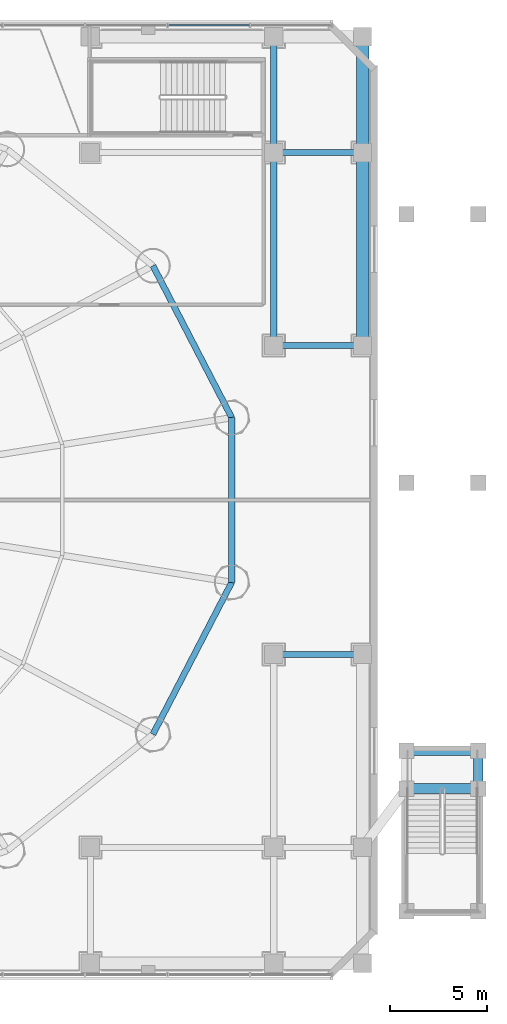
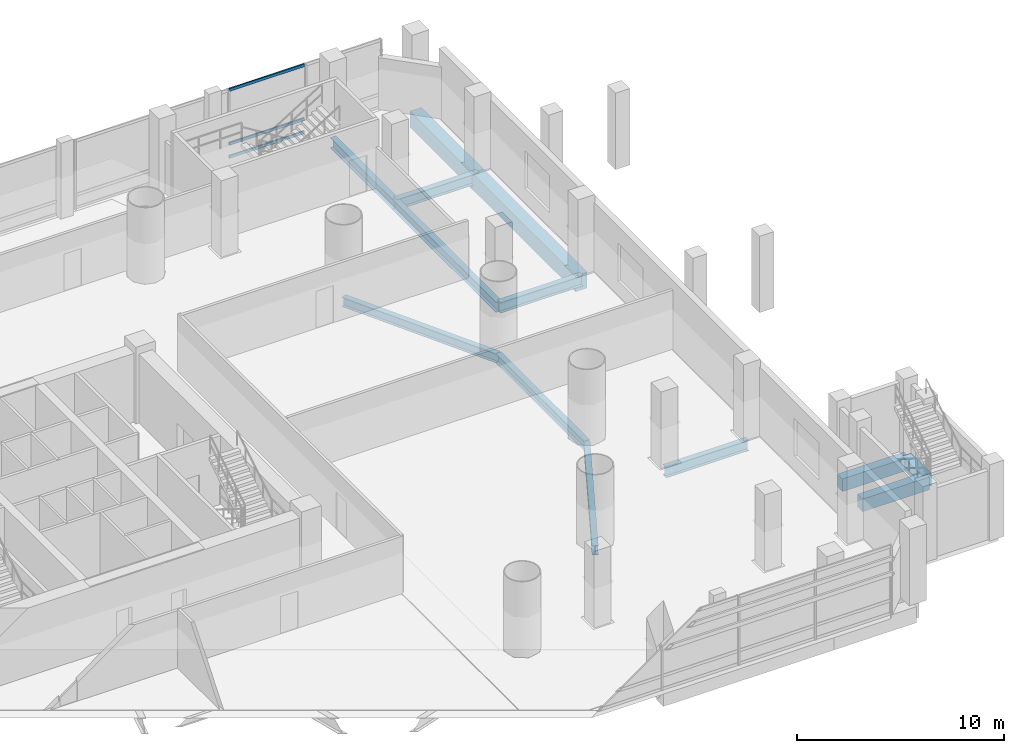
# One storey, part 17 of 36: 13 beams, 3 members, 1 element without a shape of its own.
"""IFC4 building model written with IfcOpenShell, lengths in metres."""

from ifc_helpers import new_model, si_unit, direction, frame, origin, origin_2d, place, context, subcontext, project, spatial, rectangle, hollow_rectangle, i_section, extrude, source, transform, mapped, material, material_profile, profile_set, type_object, element, aggregate, save


model = new_model("IFC4")

# Units and contexts
model_context = context("Model", 3, precision=1e-05, world=origin(), true_north=direction((-0.2419218956, 0.970295726276)))
body_context = subcontext(model_context, "Body", "Model", "MODEL_VIEW")
ifc_project = project(units=[si_unit("LENGTHUNIT", "METRE"), si_unit("AREAUNIT", "SQUARE_METRE"), si_unit("VOLUMEUNIT", "CUBIC_METRE"), si_unit("PLANEANGLEUNIT", "RADIAN"), si_unit("MASSUNIT", "GRAM", prefix="KILO")], contexts=[model_context])

# Site, building, storey
site_placement = place(None, origin())
site = spatial("IfcSite", under=ifc_project, at=site_placement, CompositionType="ELEMENT")
building_placement = place(site_placement, origin())
building = spatial("IfcBuilding", under=site, at=building_placement, Name="Cobrevalo Terracotta Tower", CompositionType="ELEMENT")
storey_placement = place(building_placement, frame((0.0, 0.0, 14.39990234375)))
storey = spatial("IfcBuildingStorey", under=building, at=storey_placement, Name="L03", CompositionType="ELEMENT", Elevation=14.39990234375)

# Beams
ifc_material_1 = material(Name="Steel S355", Category="steel")
ifc_material_profile_1 = material_profile(ifc_material_1, i_section(OverallWidth=0.324951171875, OverallDepth=0.615966796875, WebThickness=0.013916015625, FlangeThickness=0.021484375, at=origin_2d()), Name="W 610x174")
ifc_profile_set_1 = profile_set([ifc_material_profile_1], Name="Steel S355")
beam_type_1 = type_object("IfcBeamType", Name="Structural Beam W 610x174 (Steel S355)", PredefinedType="BEAM", material=ifc_profile_set_1)
beam_1_placement = place(storey_placement, frame((67.0, 18.800048828125, -0.60791015625), z_axis=(1.0, 0.0, 0.0), x_axis=(0.0, 1.0, 0.0)))
element("IfcBeam", 1, at=beam_1_placement, inside=storey, type_object=beam_type_1, Name="L03 podium grid beam G8-GC to G9-GC", PredefinedType="BEAM", context=body_context, shape_type="SweptSolid", body=[
    extrude(i_section(OverallWidth=0.324951171875, OverallDepth=0.615966796875, WebThickness=0.013916015625, FlangeThickness=0.021484375, at=origin_2d()), origin(), (0.0, 0.0, 1.0), 4.60009765625),
])
beam_2_placement = place(storey_placement, frame((67.0, 34.800048828125, -0.60791015625), z_axis=(0.0, 1.0, 0.0), x_axis=(-1.0, 0.0, 0.0)))
element("IfcBeam", 2, at=beam_2_placement, inside=storey, type_object=beam_type_1, Name="L03 podium grid beam G8-GE to G8-GF", PredefinedType="BEAM", context=body_context, shape_type="SweptSolid", body=[
    extrude(i_section(OverallWidth=0.324951171875, OverallDepth=0.615966796875, WebThickness=0.013916015625, FlangeThickness=0.021484375, at=origin_2d()), origin(), (0.0, 0.0, 1.0), 10.0),
])
beam_3_placement = place(storey_placement, frame((67.0, 34.800048828125, -0.60791015625), z_axis=(1.0, 0.0, 0.0), x_axis=(0.0, 1.0, 0.0)))
element("IfcBeam", 3, at=beam_3_placement, inside=storey, type_object=beam_type_1, Name="L03 podium grid beam G8-GE to G9-GE", PredefinedType="BEAM", context=body_context, shape_type="SweptSolid", body=[
    extrude(i_section(OverallWidth=0.324951171875, OverallDepth=0.615966796875, WebThickness=0.013916015625, FlangeThickness=0.021484375, at=origin_2d()), origin(), (0.0, 0.0, 1.0), 4.60009765625),
])
beam_4_placement = place(storey_placement, frame((67.0, 44.800048828125, -0.60791015625), z_axis=(0.0, 1.0, 0.0), x_axis=(-1.0, 0.0, 0.0)))
element("IfcBeam", 4, at=beam_4_placement, inside=storey, type_object=beam_type_1, Name="L03 podium grid beam G8-GF to G8-GG", PredefinedType="BEAM", context=body_context, shape_type="SweptSolid", body=[
    extrude(i_section(OverallWidth=0.324951171875, OverallDepth=0.615966796875, WebThickness=0.013916015625, FlangeThickness=0.021484375, at=origin_2d()), origin(), (0.0, 0.0, 1.0), 6.0),
])
beam_5_placement = place(storey_placement, frame((67.0, 44.800048828125, -0.60791015625), z_axis=(1.0, 0.0, 0.0), x_axis=(0.0, 1.0, 0.0)))
element("IfcBeam", 5, at=beam_5_placement, inside=storey, type_object=beam_type_1, Name="L03 podium grid beam G8-GF to G9-GF", PredefinedType="BEAM", context=body_context, shape_type="SweptSolid", body=[
    extrude(i_section(OverallWidth=0.324951171875, OverallDepth=0.615966796875, WebThickness=0.013916015625, FlangeThickness=0.021484375, at=origin_2d()), origin(), (0.0, 0.0, 1.0), 4.60009765625),
])
ifc_material_2 = material(Name="Concrete C50", Category="concrete")
ifc_material_profile_2 = material_profile(ifc_material_2, rectangle(XDim=0.64990234375, YDim=0.949951171875, at=origin_2d()), Name="RC BM 650x950")
ifc_profile_set_2 = profile_set([ifc_material_profile_2], Name="Concrete C50")
beam_type_2 = type_object("IfcBeamType", Name="Structural Spandrel RC BM 650x950 (Concrete C50)", PredefinedType="SPANDREL", material=ifc_profile_set_2)
beam_6_placement = place(storey_placement, frame((71.60009765625, 34.800048828125, -0.77490234375), z_axis=(0.0, 1.0, 0.0), x_axis=(-1.0, 0.0, 0.0)))
element("IfcBeam", 6, at=beam_6_placement, inside=storey, type_object=beam_type_2, Name="L03 podium grid beam G9-GE to G9-GF", PredefinedType="SPANDREL", context=body_context, shape_type="SweptSolid", body=[
    extrude(rectangle(XDim=0.64990234375, YDim=0.949951171875, at=origin_2d()), origin(), (0.0, 0.0, 1.0), 10.0),
])
beam_7_placement = place(storey_placement, frame((71.60009765625, 44.800048828125, -0.77490234375), z_axis=(0.0, 1.0, 0.0), x_axis=(-1.0, 0.0, 0.0)))
element("IfcBeam", 7, at=beam_7_placement, inside=storey, type_object=beam_type_2, Name="L03 podium grid beam G9-GF to G9-GG", PredefinedType="SPANDREL", context=body_context, shape_type="SweptSolid", body=[
    extrude(rectangle(XDim=0.64990234375, YDim=0.949951171875, at=origin_2d()), origin(), (0.0, 0.0, 1.0), 6.0),
])
ifc_material_profile_3 = material_profile(ifc_material_1, i_section(OverallWidth=0.31201171875, OverallDepth=0.54296875, WebThickness=0.0126953125, FlangeThickness=0.020263671875, at=origin_2d()), Name="W 530x150")
ifc_profile_set_3 = profile_set([ifc_material_profile_3], Name="Steel S355")
beam_type_3 = type_object("IfcBeamType", Name="Structural Spandrel W 530x150 (Steel S355)", PredefinedType="SPANDREL", material=ifc_profile_set_3)
for number, where, z_axis, x_axis, name in (
    (8, (64.824462890625, 31.062744140625, -0.5712890625), (-0.460285838799, 0.88777077368, 0.0), (-0.88777077368, -0.460285838799, 0.0), "L03 perimeter ring spandrel 01"),
    (9, (60.74072265625, 14.660888671875, -0.5712890625), (0.460285838799, 0.88777077368, 0.0), (-0.88777077368, 0.460285838799, 0.0), "L03 perimeter ring spandrel 15"),
):
    element("IfcBeam", number, at=place(storey_placement, frame(where, z_axis=z_axis, x_axis=x_axis)), inside=storey, type_object=beam_type_3, Name=name, PredefinedType="SPANDREL", context=body_context, shape_type="SweptSolid", body=[
        extrude(i_section(OverallWidth=0.31201171875, OverallDepth=0.54296875, WebThickness=0.0126953125, FlangeThickness=0.020263671875, at=origin_2d()), origin(), (0.0, 0.0, 1.0), 8.8720703125),
    ])
beam_8_placement = place(storey_placement, frame((64.824462890625, 22.537353515625, -0.5712890625), z_axis=(0.0, 1.0, 0.0), x_axis=(-1.0, 0.0, 0.0)))
element("IfcBeam", 10, at=beam_8_placement, inside=storey, type_object=beam_type_3, Name="L03 perimeter ring spandrel 16", PredefinedType="SPANDREL", context=body_context, shape_type="SweptSolid", body=[
    extrude(i_section(OverallWidth=0.31201171875, OverallDepth=0.54296875, WebThickness=0.0126953125, FlangeThickness=0.020263671875, at=origin_2d()), origin(), (0.0, 0.0, 1.0), 8.525390625),
])
ifc_material_profile_4 = material_profile(ifc_material_2, rectangle(XDim=0.5, YDim=0.75, at=origin_2d()), Name="RC BM 500x750")
ifc_profile_set_4 = profile_set([ifc_material_profile_4], Name="Concrete C50")
beam_type_4 = type_object("IfcBeamType", Name="Structural T Beam RC BM 500x750 (Concrete C50)", PredefinedType="T_BEAM", material=ifc_profile_set_4)
beam_9_placement = place(storey_placement, frame((77.60009765625, 11.85009765625, -0.6748046875), z_axis=(0.0, 1.0, 0.0), x_axis=(-1.0, 0.0, 0.0)))
element("IfcBeam", 11, at=beam_9_placement, inside=storey, type_object=beam_type_4, Name="L03 garden stair landing side beam E2", PredefinedType="T_BEAM", context=body_context, shape_type="SweptSolid", body=[
    extrude(rectangle(XDim=0.5, YDim=0.75, at=origin_2d()), origin(), (0.0, 0.0, 1.0), 1.949951171875),
])
for number, where, z_axis, x_axis, name in (
    (12, (73.8798828125, 11.85009765625, -0.6748046875), (1.0, 0.0, 0.0), (0.0, 1.0, 0.0), "L03 garden stair shaft header beam ES"),
    (13, (73.8798828125, 13.800048828125, -0.6748046875), (1.0, 0.0, 0.0), (0.0, 1.0, 0.0), "L03 garden stair shaft header beam EN"),
):
    element("IfcBeam", number, at=place(storey_placement, frame(where, z_axis=z_axis, x_axis=x_axis)), inside=storey, type_object=beam_type_4, Name=name, PredefinedType="T_BEAM", context=body_context, shape_type="SweptSolid", body=[
        extrude(rectangle(XDim=0.5, YDim=0.75, at=origin_2d()), origin(), (0.0, 0.0, 1.0), 3.72021484375),
    ])

# Curtain wall, members
ifc_material_3 = material(Name="Anodized aluminium", Category="aluminium")
curtain_wall_type = type_object("IfcCurtainWallType", Name="Podium gallery & conservatory curtain wall CW-S2", PredefinedType="NOTDEFINED", material=ifc_material_3)
curtain_wall_placement = place(storey_placement, origin())
curtain_wall = element("IfcCurtainWall", 14, at=curtain_wall_placement, inside=storey, type_object=curtain_wall_type, Name="L03 curtain wall CW-POD-L03-N", PredefinedType="NOTDEFINED")
ifc_material_profile_5 = material_profile(ifc_material_3, hollow_rectangle(XDim=0.080078125, YDim=0.1650390625, WallThickness=0.00439453125, at=origin_2d()), Name="CWT 80x165")
ifc_profile_set_5 = profile_set([ifc_material_profile_5], Name="Anodized aluminium")
member_type = type_object("IfcMemberType", Name="Storefront & atrium aluminium transom 80x165", PredefinedType="USERDEFINED", material=ifc_profile_set_5)
shared_shape = source(origin(), body_context, "Body", "SweptSolid", [
    extrude(hollow_rectangle(XDim=0.080078125, YDim=0.1650390625, WallThickness=0.00439453125, at=origin_2d()), origin(), (0.0, 0.0, 1.0), 4.193359375),
])
member_1_placement = place(storey_placement, frame((65.736572265625, 51.39990234375, 0.050048828125), z_axis=(-1.0, 0.0, 0.0), x_axis=(0.0, -1.0, 0.0)))
member_1 = element("IfcMember", 15, at=member_1_placement, type_object=member_type, Name="CW-POD-L03-N transom B02-T1", ObjectType="TRANSOM", PredefinedType="USERDEFINED", context=body_context, shape_type="MappedRepresentation", body=[
    mapped(shared_shape, transform((0.0, 0.0, 0.0), scale=1.0)),
])
member_2_placement = place(storey_placement, frame((65.736572265625, 51.39990234375, 0.820068359375), z_axis=(-1.0, 0.0, 0.0), x_axis=(0.0, -1.0, 0.0)))
member_2 = element("IfcMember", 16, at=member_2_placement, type_object=member_type, Name="CW-POD-L03-N transom B02-T2", ObjectType="TRANSOM", PredefinedType="USERDEFINED", context=body_context, shape_type="MappedRepresentation", body=[
    mapped(shared_shape, transform((0.0, 0.0, 0.0), scale=1.0)),
])
member_3_placement = place(storey_placement, frame((65.736572265625, 51.39990234375, 4.0), z_axis=(-1.0, 0.0, 0.0), x_axis=(0.0, -1.0, 0.0)))
member_3 = element("IfcMember", 17, at=member_3_placement, type_object=member_type, Name="CW-POD-L03-N transom B02-T3", ObjectType="TRANSOM", PredefinedType="USERDEFINED", context=body_context, shape_type="MappedRepresentation", body=[
    mapped(shared_shape, transform((0.0, 0.0, 0.0), scale=1.0)),
])
aggregate(curtain_wall, [member_1, member_2, member_3])

save(model, "model.ifc")
